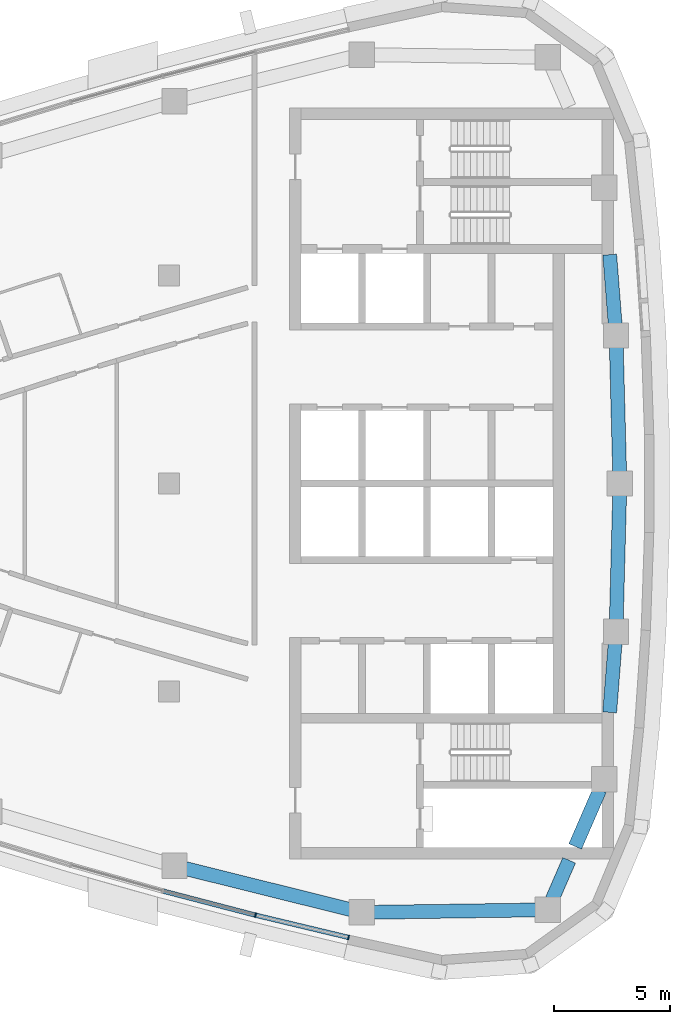
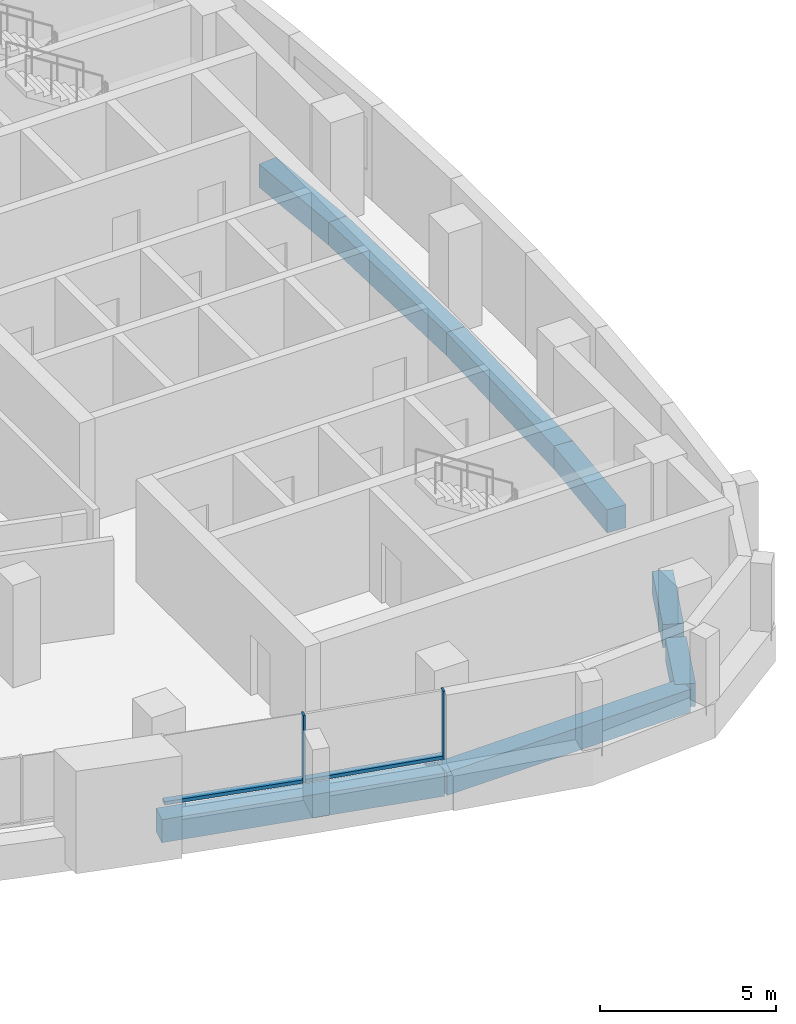
# One storey, part 4 of 14: 8 beams, 4 members, 1 element without a shape of its own.
"""IFC4 building model written with IfcOpenShell, lengths in metres."""

from ifc_helpers import new_model, si_unit, direction, frame, origin, origin_2d, place, context, subcontext, project, spatial, rectangle, extrude, material, layer, layer_set, material_profile, profile_set, type_object, element, aggregate, save


model = new_model("IFC4")

# Units and contexts
model_context = context("Model", 3, precision=1e-05, world=origin(), true_north=direction((0.0, 1.0)))
body_context = subcontext(model_context, "Body", "Model", "MODEL_VIEW")
ifc_project = project(units=[si_unit("LENGTHUNIT", "METRE"), si_unit("AREAUNIT", "SQUARE_METRE"), si_unit("VOLUMEUNIT", "CUBIC_METRE"), si_unit("PLANEANGLEUNIT", "RADIAN"), si_unit("MASSUNIT", "GRAM", prefix="KILO")], contexts=[model_context])

# Site, building, storey
site_placement = place(None, origin())
site = spatial("IfcSite", under=ifc_project, at=site_placement, CompositionType="ELEMENT")
building_placement = place(site_placement, origin())
building = spatial("IfcBuilding", under=site, at=building_placement, Name="Ostrand Prow Hotel Tower", CompositionType="ELEMENT")
storey_placement = place(building_placement, frame((0.0, 0.0, 278.550048828125)))
storey = spatial("IfcBuildingStorey", under=building, at=storey_placement, Name="L70", CompositionType="ELEMENT", Elevation=278.550048828125)

# Beams
ifc_material_1 = material(Name="Concrete C50/60", Category="concrete")
ifc_material_profile_1 = material_profile(ifc_material_1, rectangle(XDim=0.60009765625, YDim=0.800048828125, at=origin_2d()), Name="RC 600x800")
ifc_profile_set_1 = profile_set([ifc_material_profile_1], Name="Concrete C50/60")
beam_type = type_object("IfcBeamType", Name="Edge beam 600x800 C50/60", PredefinedType="SPANDREL", material=ifc_profile_set_1)
beam_1_placement = place(storey_placement, frame((45.234619140625, -16.53857421875, -0.699951171875), z_axis=(0.970456465292, -0.241276291775, 0.0), x_axis=(0.241276291775, 0.970456465292, 0.0)))
element("IfcBeam", 1, at=beam_1_placement, inside=storey, type_object=beam_type, Name="Edge beam S5-S6", PredefinedType="SPANDREL", context=body_context, shape_type="SweptSolid", body=[
    extrude(rectangle(XDim=0.60009765625, YDim=0.800048828125, at=origin_2d()), origin(), (0.0, 0.0, 1.0), 8.348876953125),
])
beam_2_placement = place(storey_placement, frame((53.3369140625, -18.552978515625, -0.699951171875), z_axis=(0.999900689486, 0.014092947356, 0.0), x_axis=(-0.014092947356, 0.999900689486, 0.0)))
element("IfcBeam", 2, at=beam_2_placement, inside=storey, type_object=beam_type, Name="Edge beam S6-SE", PredefinedType="SPANDREL", context=body_context, shape_type="SweptSolid", body=[
    extrude(rectangle(XDim=0.60009765625, YDim=0.800048828125, at=origin_2d()), origin(), (0.0, 0.0, 1.0), 8.0380859375),
])
beam_3_placement = place(storey_placement, frame((61.374267578125, -18.439697265625, -0.699951171875), z_axis=(0.398863844187, 0.91701016014, 0.0), x_axis=(-0.91701016014, 0.398863844187, 0.0)))
element("IfcBeam", 3, at=beam_3_placement, inside=storey, type_object=beam_type, Name="Edge beam SE-B1", PredefinedType="SPANDREL", context=body_context, shape_type="SweptSolid", body=[
    extrude(rectangle(XDim=0.60009765625, YDim=0.800048828125, at=origin_2d()), origin(), (0.0, 0.0, 1.0), 2.333251953125),
])
beam_4_placement = place(storey_placement, frame((62.56591796875, -15.699951171875, -0.699951171875), z_axis=(0.398799624102, 0.917038090712, 0.0), x_axis=(-0.917038090712, 0.398799624102, 0.0)))
element("IfcBeam", 4, at=beam_4_placement, inside=storey, type_object=beam_type, Name="Edge beam SE-B1", PredefinedType="SPANDREL", context=body_context, shape_type="SweptSolid", body=[
    extrude(rectangle(XDim=0.60009765625, YDim=0.800048828125, at=origin_2d()), origin(), (0.0, 0.0, 1.0), 2.671630859375),
])
beam_5_placement = place(storey_placement, frame((64.058349609375, -9.89990234375, -0.699951171875), z_axis=(0.078240080308, 0.996934546414, 0.0), x_axis=(-0.996934546414, 0.078240080308, 0.0)))
element("IfcBeam", 5, at=beam_5_placement, inside=storey, type_object=beam_type, Name="Edge beam B1-B2", PredefinedType="SPANDREL", context=body_context, shape_type="SweptSolid", body=[
    extrude(rectangle(XDim=0.60009765625, YDim=0.800048828125, at=origin_2d()), origin(), (0.0, 0.0, 1.0), 3.50732421875),
])
for number, where, z_axis, x_axis, name in (
    (6, (64.332763671875, -6.4033203125, -0.699951171875), (0.026108223987, 0.999659122221, 0.0), (-0.999659122221, 0.026108223987, 0.0), "Edge beam B2-B3"),
    (7, (64.5, 0.0, -0.699951171875), (-0.026108223987, 0.999659122221, 0.0), (-0.999659122221, -0.026108223987, 0.0), "Edge beam B3-B4"),
):
    element("IfcBeam", number, at=place(storey_placement, frame(where, z_axis=z_axis, x_axis=x_axis)), inside=storey, type_object=beam_type, Name=name, PredefinedType="SPANDREL", context=body_context, shape_type="SweptSolid", body=[
        extrude(rectangle(XDim=0.60009765625, YDim=0.800048828125, at=origin_2d()), origin(), (0.0, 0.0, 1.0), 6.405517578125),
    ])
beam_6_placement = place(storey_placement, frame((64.332763671875, 6.4033203125, -0.699951171875), z_axis=(-0.078240080308, 0.996934546414, 0.0), x_axis=(-0.996934546414, -0.078240080308, 0.0)))
element("IfcBeam", 8, at=beam_6_placement, inside=storey, type_object=beam_type, Name="Edge beam B4-B5", PredefinedType="SPANDREL", context=body_context, shape_type="SweptSolid", body=[
    extrude(rectangle(XDim=0.60009765625, YDim=0.800048828125, at=origin_2d()), origin(), (0.0, 0.0, 1.0), 3.50732421875),
])

# Curtain wall, members
ifc_material_2 = material(Name="Insulated glass in bronze anodised frame", Category="glass")
ifc_layer = layer(ifc_material_2, 0.199951171875)
ifc_layer_set = layer_set([ifc_layer], Name="Insulated glass in bronze anodised frame")
curtain_wall_type = type_object("IfcCurtainWallType", Name="Strip curtain wall, fritted glass over bronze spandrel", PredefinedType="NOTDEFINED", material=ifc_layer_set)
curtain_wall_placement = place(storey_placement, origin())
curtain_wall = element("IfcCurtainWall", 9, at=curtain_wall_placement, inside=storey, type_object=curtain_wall_type, Name="CW1 run CWS5", PredefinedType="NOTDEFINED")
ifc_material_3 = material(Name="Bronze anodised aluminium", Category="aluminium")
ifc_material_profile_2 = material_profile(ifc_material_3, rectangle(XDim=0.199951171875, YDim=0.06005859375, at=origin_2d()), Name="Mullion 60x200 bronze anodised aluminium")
ifc_profile_set_2 = profile_set([ifc_material_profile_2], Name="Bronze anodised aluminium")
member_type_1 = type_object("IfcMemberType", Name="Mullion 60x200 bronze anodised aluminium", PredefinedType="MULLION", material=ifc_profile_set_2)
member_1_placement = place(storey_placement, frame((48.734619140625, -18.6708984375, 0.89990234375), z_axis=(0.0, 0.0, 1.0), x_axis=(0.232746096028, 0.972537533869, 0.0)))
member_1 = element("IfcMember", 10, at=member_1_placement, type_object=member_type_1, Name="CW1 mullion 2", PredefinedType="MULLION", context=body_context, shape_type="SweptSolid", body=[
    extrude(rectangle(XDim=0.199951171875, YDim=0.06005859375, at=origin_2d()), origin(), (0.0, 0.0, 1.0), 2.35009765625),
])
member_2_placement = place(storey_placement, frame((52.7607421875, -19.634521484375, 0.89990234375), z_axis=(0.0, 0.0, 1.0), x_axis=(0.232746096028, 0.972537533869, 0.0)))
member_2 = element("IfcMember", 11, at=member_2_placement, type_object=member_type_1, Name="CW1 mullion 3", PredefinedType="MULLION", context=body_context, shape_type="SweptSolid", body=[
    extrude(rectangle(XDim=0.199951171875, YDim=0.06005859375, at=origin_2d()), origin(), (0.0, 0.0, 1.0), 2.35009765625),
])
ifc_material_4 = material(Name="Bronze anodised aluminium", Category="aluminium")
ifc_material_profile_3 = material_profile(ifc_material_4, rectangle(XDim=0.199951171875, YDim=0.1201171875, at=origin_2d()), Name="Transom 120x200 bronze anodised aluminium")
ifc_profile_set_3 = profile_set([ifc_material_profile_3], Name="Bronze anodised aluminium")
member_type_2 = type_object("IfcMemberType", Name="Transom 120x200 bronze anodised aluminium", PredefinedType="USERDEFINED", material=ifc_profile_set_3)
member_3_placement = place(storey_placement, frame((44.7578125, -17.63427734375, 0.9599609375), z_axis=(0.967664917891, -0.252239185461, 0.0), x_axis=(0.252239185461, 0.967664917891, 0.0)))
member_3 = element("IfcMember", 12, at=member_3_placement, type_object=member_type_2, Name="CW1 transom 1.1", ObjectType="TRANSOM", PredefinedType="USERDEFINED", context=body_context, shape_type="SweptSolid", body=[
    extrude(rectangle(XDim=0.199951171875, YDim=0.1201171875, at=origin_2d()), origin(), (0.0, 0.0, 1.0), 4.07958984375),
])
member_4_placement = place(storey_placement, frame((48.763671875, -18.677978515625, 0.9599609375), z_axis=(0.972542980558, -0.232723335675, 0.0), x_axis=(0.232723335675, 0.972542980558, 0.0)))
member_4 = element("IfcMember", 13, at=member_4_placement, type_object=member_type_2, Name="CW1 transom 2.1", ObjectType="TRANSOM", PredefinedType="USERDEFINED", context=body_context, shape_type="SweptSolid", body=[
    extrude(rectangle(XDim=0.199951171875, YDim=0.1201171875, at=origin_2d()), origin(), (0.0, 0.0, 1.0), 4.079833984375),
])
aggregate(curtain_wall, [member_1, member_2, member_3, member_4])

save(model, "model.ifc")
